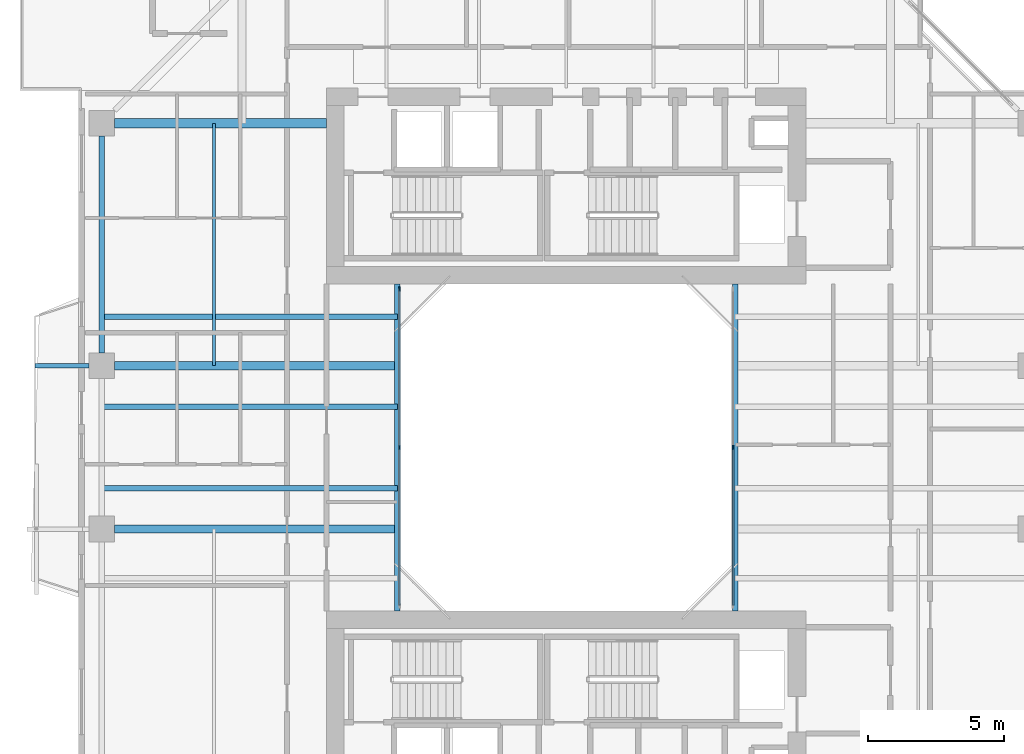
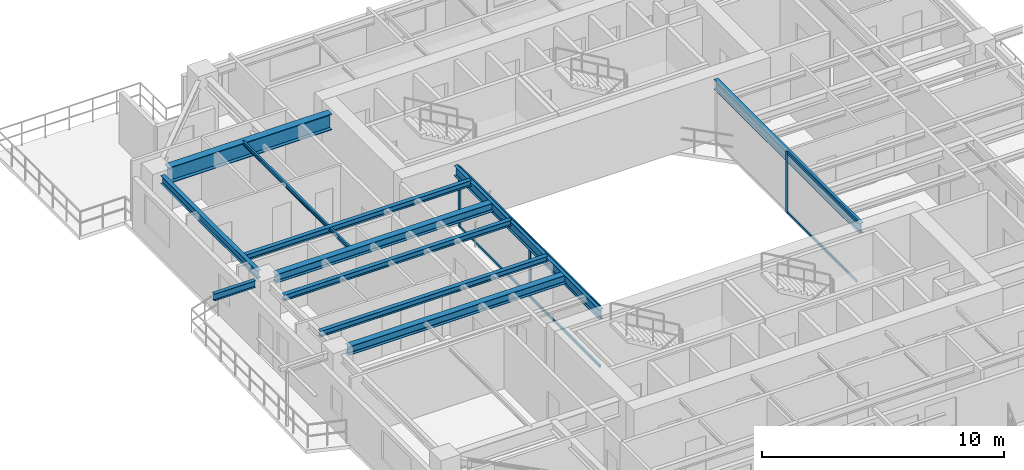
# One storey, part 5 of 17: 11 beams, 9 members, 2 elements without a shape of their own.
"""IFC4 building model written with IfcOpenShell, lengths in metres."""

import ifcopenshell
import ifcopenshell.guid

model = None  # the IFC model being written
_history = None  # IfcOwnerHistory: only IFC2X3 demands one
_inside = {}  # id of a spatial element -> (the spatial element, [elements in it])
_under = {}  # id of a project, library or spatial element -> (it, [spatial elements below it])
_declared = {}  # id of a project -> (the project, [libraries it declares])
_typed = {}  # id of a type object -> (the type object, [elements of that type])
_made_of = {}  # id of a material, layer set ... -> (it, [elements and type objects made of it])


def new_model(schema):
    """Start an empty IFC model of exactly this schema.

    Asked for "IFC4X3", IfcOpenShell would pick the latest addendum, in which some entities
    have other attributes; the version numbers below select the first issue.
    IFC2X3 requires an IfcOwnerHistory on every rooted entity: one is made here for all.
    """
    global model, _history
    if schema == "IFC4X3":
        model = ifcopenshell.file(schema_version=(4, 3, 0, 0))
    else:
        model = ifcopenshell.file(schema=schema)
    _inside.clear()
    _under.clear()
    _declared.clear()
    _typed.clear()
    _made_of.clear()
    _history = None
    if model.schema == "IFC2X3":
        org = make("IfcOrganization", Name="unknown")
        user = make(
            "IfcPersonAndOrganization",
            ThePerson=make("IfcPerson", FamilyName="unknown"),
            TheOrganization=org,
        )
        app = make(
            "IfcApplication",
            ApplicationDeveloper=org,
            Version="unknown",
            ApplicationFullName="unknown",
            ApplicationIdentifier="unknown",
        )
        _history = make(
            "IfcOwnerHistory",
            OwningUser=user,
            OwningApplication=app,
            ChangeAction="ADDED",
            CreationDate=0,
        )
    return model


def make(cls, **values):
    """One entity of the class cls with the attributes given. An attribute that is None is left unset."""
    return model.create_entity(
        cls, **{name: value for name, value in values.items() if value is not None}
    )


def rooted(cls, **values):
    """An entity with a GlobalId (a new one), such as an element, a storey or a relation."""
    return make(cls, GlobalId=ifcopenshell.guid.new(), OwnerHistory=_history, **values)


def si_unit(unit_type, name, prefix=None):
    """IfcSIUnit, for example si_unit("LENGTHUNIT", "METRE", prefix="MILLI")."""
    return make("IfcSIUnit", UnitType=unit_type, Prefix=prefix, Name=name)


def assignment(units):
    """IfcUnitAssignment: the units of a project."""
    return None if units is None else make("IfcUnitAssignment", Units=units)


def point(xyz):
    """IfcCartesianPoint."""
    return None if xyz is None else make("IfcCartesianPoint", Coordinates=xyz)


def direction(xyz):
    """IfcDirection."""
    return None if xyz is None else make("IfcDirection", DirectionRatios=xyz)


def frame(location, z_axis=None, x_axis=None):
    """IfcAxis2Placement3D, a coordinate frame: its origin and axes. An axis left out is left unset."""
    return make(
        "IfcAxis2Placement3D",
        Location=point(location),
        Axis=direction(z_axis),
        RefDirection=direction(x_axis),
    )


def frame_2d(location, x_axis=None):
    """IfcAxis2Placement2D, a coordinate frame in the plane: its origin and x axis."""
    return make(
        "IfcAxis2Placement2D", Location=point(location), RefDirection=direction(x_axis)
    )


def origin():
    """The frame at (0, 0, 0) with its axes left unset."""
    return frame((0.0, 0.0, 0.0))


def origin_2d():
    """The frame at (0, 0) in the plane with its x axis left unset."""
    return frame_2d((0.0, 0.0))


def place(relative_to, where):
    """IfcLocalPlacement: puts the frame where relative to a parent placement (None: the world)."""
    return make(
        "IfcLocalPlacement", PlacementRelTo=relative_to, RelativePlacement=where
    )


def context(
    kind, dimensions, precision=None, world=None, true_north=None, identifier=None
):
    """IfcGeometricRepresentationContext, for example the 3D "Model" context."""
    return make(
        "IfcGeometricRepresentationContext",
        ContextIdentifier=identifier,
        ContextType=kind,
        CoordinateSpaceDimension=dimensions,
        Precision=precision,
        WorldCoordinateSystem=world,
        TrueNorth=true_north,
    )


def subcontext(parent, identifier, kind, view, scale=None):
    """IfcGeometricRepresentationSubContext, for example "Body" below "Model"."""
    return make(
        "IfcGeometricRepresentationSubContext",
        ContextIdentifier=identifier,
        ContextType=kind,
        ParentContext=parent,
        TargetScale=scale,
        TargetView=view,
    )


def project(units=None, contexts=None):
    """IfcProject with its units and contexts."""
    return rooted(
        "IfcProject",
        Name="project",
        RepresentationContexts=contexts,
        UnitsInContext=assignment(units),
    )


def spatial(cls, under=None, at=None, **own):
    """A site, building, storey or space (cls), placed at a placement, below another one or the project."""
    s = rooted(cls, ObjectPlacement=at, **own)
    if under is not None:
        _under.setdefault(under.id(), (under, []))[1].append(s)
    return s


def profile(cls, at=None, kind="AREA", **sizes):
    """A parametric profile (cls). Its sizes go by their IFC names, for example OverallWidth=200.0."""
    return make(cls, ProfileType=kind, Position=at, **sizes)


def rectangle(**sizes):
    """IfcRectangleProfileDef."""
    return profile("IfcRectangleProfileDef", **sizes)


def i_section(**sizes):
    """IfcIShapeProfileDef."""
    return profile("IfcIShapeProfileDef", **sizes)


def extrude(swept, where, along, depth):
    """IfcExtrudedAreaSolid: the profile swept, set in the frame where, extruded along a direction by depth."""
    return make(
        "IfcExtrudedAreaSolid",
        SweptArea=swept,
        Position=where,
        ExtrudedDirection=direction(along),
        Depth=depth,
    )


def shape(context_of_items, identifier, shape_type, items):
    """IfcShapeRepresentation: the items that make up one representation, for example the "Body"."""
    return make(
        "IfcShapeRepresentation",
        ContextOfItems=context_of_items,
        RepresentationIdentifier=identifier,
        RepresentationType=shape_type,
        Items=items,
    )


def source(mapping_origin, context_of_items, identifier, shape_type, items):
    """IfcRepresentationMap: a shape defined once, which mapped items show again and again."""
    return make(
        "IfcRepresentationMap",
        MappingOrigin=mapping_origin,
        MappedRepresentation=shape(context_of_items, identifier, shape_type, items),
    )


def transform(
    local_origin,
    x_axis=None,
    y_axis=None,
    z_axis=None,
    scale=None,
    scale2=None,
    scale3=None,
    uniform=True,
):
    """IfcCartesianTransformationOperator3D, or its non-uniform kind. x_axis, y_axis, z_axis: its Axis1, 2, 3."""
    if uniform:
        return make(
            "IfcCartesianTransformationOperator3D",
            Axis1=direction(x_axis),
            Axis2=direction(y_axis),
            LocalOrigin=point(local_origin),
            Scale=scale,
            Axis3=direction(z_axis),
        )
    return make(
        "IfcCartesianTransformationOperator3DnonUniform",
        Axis1=direction(x_axis),
        Axis2=direction(y_axis),
        LocalOrigin=point(local_origin),
        Scale=scale,
        Axis3=direction(z_axis),
        Scale2=scale2,
        Scale3=scale3,
    )


def mapped(mapping_source, mapping_target):
    """IfcMappedItem: shows the shape of a source again, moved by a transform."""
    return make(
        "IfcMappedItem", MappingSource=mapping_source, MappingTarget=mapping_target
    )


def material(Name=None, Category=None):
    """IfcMaterial."""
    return make("IfcMaterial", Name=Name, Category=Category)


def layer(
    of_material, thickness, ventilated=None, Name=None, Category=None, Priority=None
):
    """IfcMaterialLayer: one layer of a wall or slab, of a material (None: an air gap)."""
    return make(
        "IfcMaterialLayer",
        Material=of_material,
        LayerThickness=thickness,
        IsVentilated=ventilated,
        Name=Name,
        Category=Category,
        Priority=Priority,
    )


def layer_set(layers, Name=None):
    """IfcMaterialLayerSet."""
    return make("IfcMaterialLayerSet", MaterialLayers=layers, LayerSetName=Name)


def material_profile(
    of_material, cross_section, Name=None, Category=None, Priority=None
):
    """IfcMaterialProfile: a cross section and its material."""
    return make(
        "IfcMaterialProfile",
        Name=Name,
        Material=of_material,
        Profile=cross_section,
        Priority=Priority,
        Category=Category,
    )


def profile_set(profiles, Name=None, composite=None):
    """IfcMaterialProfileSet."""
    return make(
        "IfcMaterialProfileSet",
        Name=Name,
        MaterialProfiles=profiles,
        CompositeProfile=composite,
    )


def made_of(thing, what):
    """Note that an element or type object is made of a material, layer set ...; save() writes the relation."""
    if what is not None:
        _made_of.setdefault(what.id(), (what, []))[1].append(thing)
    return thing


def type_object(cls, material=None, **own):
    """A type object (cls), such as IfcWallType, which elements share."""
    return made_of(rooted(cls, **own), material)


def element(
    cls,
    number,
    at=None,
    inside=None,
    cuts=None,
    type_object=None,
    material=None,
    context=None,
    identifier="Body",
    shape_type=None,
    held_by="IfcProductDefinitionShape",
    body=None,
    shapes=None,
    **own,
):
    """One element of the class cls, such as IfcWall. Its Tag is "e" and its number.

    at: its placement. inside: the storey or other place that contains it. cuts: it is an
    opening in that element (IfcRelVoidsElement). A single representation is given by context,
    identifier, shape_type and body (its items); several are given by shapes. held_by: the class
    of the entity that holds the representations. save() writes the other relations.
    """
    e = rooted(cls, Tag="e%d" % number, ObjectPlacement=at, **own)
    if body is not None:
        shapes = [shape(context, identifier, shape_type, body)]
    if shapes is not None:
        e.Representation = make(held_by, Representations=shapes)
    if inside is not None:
        _inside.setdefault(inside.id(), (inside, []))[1].append(e)
    if cuts is not None:
        rooted(
            "IfcRelVoidsElement", RelatingBuildingElement=cuts, RelatedOpeningElement=e
        )
    if type_object is not None:
        _typed.setdefault(type_object.id(), (type_object, []))[1].append(e)
    return made_of(e, material)


def aggregate(whole, parts):
    """IfcRelAggregates: a whole, such as a stair, and the parts it consists of."""
    return rooted("IfcRelAggregates", RelatingObject=whole, RelatedObjects=parts)


def save(model, path):
    """Write the relations noted so far, then the file.

    IfcRelAggregates (storeys below a building ...), IfcRelContainedInSpatialStructure (elements
    in a storey), IfcRelDefinesByType, IfcRelAssociatesMaterial and IfcRelDeclares: one each for
    every whole, place, type object, material and project.
    """
    for whole, parts in _under.values():
        aggregate(whole, parts)
    for where, things in _inside.values():
        rooted(
            "IfcRelContainedInSpatialStructure",
            RelatedElements=things,
            RelatingStructure=where,
        )
    for kind, things in _typed.values():
        rooted("IfcRelDefinesByType", RelatedObjects=things, RelatingType=kind)
    for what, things in _made_of.values():
        rooted("IfcRelAssociatesMaterial", RelatedObjects=things, RelatingMaterial=what)
    for by, libraries in _declared.values():
        rooted("IfcRelDeclares", RelatingContext=by, RelatedDefinitions=libraries)
    model.write(path)


model = new_model("IFC4")

# Units and contexts
model_context = context("Model", 3, precision=1e-05, world=origin(), true_north=direction((0.0, 1.0)))
body_context = subcontext(model_context, "Body", "Model", "MODEL_VIEW")
ifc_project = project(units=[si_unit("LENGTHUNIT", "METRE"), si_unit("AREAUNIT", "SQUARE_METRE"), si_unit("VOLUMEUNIT", "CUBIC_METRE"), si_unit("PLANEANGLEUNIT", "RADIAN"), si_unit("MASSUNIT", "GRAM", prefix="KILO"), si_unit("THERMODYNAMICTEMPERATUREUNIT", "KELVIN"), si_unit("POWERUNIT", "WATT")], contexts=[model_context])

# Site, building, storey
site_placement = place(None, origin())
site = spatial("IfcSite", under=ifc_project, at=site_placement, CompositionType="ELEMENT")
building_placement = place(site_placement, origin())
building = spatial("IfcBuilding", under=site, at=building_placement, Name="Qiaomeng Ring Towers", CompositionType="ELEMENT")
storey_placement = place(building_placement, frame((0.0, 0.0, 143.75)))
storey = spatial("IfcBuildingStorey", under=building, at=storey_placement, Name="L41", CompositionType="ELEMENT", Elevation=143.75)

# Beams
ifc_material_1 = material(Name="Steel Q355B", Category="steel")
ifc_material_profile_1 = material_profile(ifc_material_1, i_section(OverallWidth=0.199951171875, OverallDepth=0.5, WebThickness=0.010009765625, FlangeThickness=0.01611328125, FilletRadius=0.02001953125, at=origin_2d()), Name="HN 500x200x10x16")
ifc_profile_set_1 = profile_set([ifc_material_profile_1], Name="Steel Q355B")
beam_type_1 = type_object("IfcBeamType", Name="STR-BM-HN500", PredefinedType="BEAM", material=ifc_profile_set_1)
shared_shape_1 = source(origin(), body_context, "Body", "SweptSolid", [
    extrude(i_section(OverallWidth=0.199951171875, OverallDepth=0.5, WebThickness=0.010009765625, FlangeThickness=0.01611328125, FilletRadius=0.02001953125, at=origin_2d()), origin(), (0.0, 0.0, 1.0), 12.0),
])
for number, where, z_axis, x_axis, name in (
    (1, (12.800048828125, 17.0, 2.820068359375), (0.0, 1.0, 0.0), (-1.0, 0.0, 0.0), "L41 beam STR-BM-L41-WELL-W"),
    (2, (25.199951171875, 17.0, 2.820068359375), (0.0, 1.0, 0.0), (-1.0, 0.0, 0.0), "L41 beam STR-BM-L41-WELL-E"),
):
    element("IfcBeam", number, at=place(storey_placement, frame(where, z_axis=z_axis, x_axis=x_axis)), inside=storey, type_object=beam_type_1, Name=name, PredefinedType="BEAM", context=body_context, shape_type="MappedRepresentation", body=[
        mapped(shared_shape_1, transform((0.0, 0.0, 0.0), x_axis=(1.0, 0.0, 0.0), y_axis=(0.0, 1.0, 0.0), z_axis=(0.0, 0.0, 1.0), scale=1.0)),
    ])
ifc_material_profile_2 = material_profile(ifc_material_1, i_section(OverallWidth=0.199951171875, OverallDepth=0.2939453125, WebThickness=0.008056640625, FlangeThickness=0.011962890625, FilletRadius=0.01806640625, at=origin_2d()), Name="HM 294x200x8x12")
ifc_profile_set_2 = profile_set([ifc_material_profile_2], Name="Steel Q355B")
beam_type_2 = type_object("IfcBeamType", Name="STR-BM-HM294", PredefinedType="JOIST", material=ifc_profile_set_2)
shared_shape_2 = source(origin(), body_context, "Body", "SweptSolid", [
    extrude(i_section(OverallWidth=0.199951171875, OverallDepth=0.2939453125, WebThickness=0.008056640625, FlangeThickness=0.011962890625, FilletRadius=0.01806640625, at=origin_2d()), origin(), (0.0, 0.0, 1.0), 10.85009765625),
])
for number, where, z_axis, x_axis, name in (
    (3, (1.949951171875, 21.5, 2.923095703125), (1.0, 0.0, 0.0), (0.0, 1.0, 0.0), "L41 beam STR-JST-L41-T1W-2"),
    (4, (1.949951171875, 24.5, 2.923095703125), (1.0, 0.0, 0.0), (0.0, 1.0, 0.0), "L41 beam STR-JST-L41-T1W-3"),
    (5, (1.949951171875, 27.800048828125, 2.923095703125), (1.0, 0.0, 0.0), (0.0, 1.0, 0.0), "L41 beam STR-JST-L41-T1W-4"),
):
    element("IfcBeam", number, at=place(storey_placement, frame(where, z_axis=z_axis, x_axis=x_axis)), inside=storey, type_object=beam_type_2, Name=name, PredefinedType="JOIST", context=body_context, shape_type="MappedRepresentation", body=[
        mapped(shared_shape_2, transform((0.0, 0.0, 0.0), x_axis=(1.0, 0.0, 0.0), y_axis=(0.0, 1.0, 0.0), z_axis=(0.0, 0.0, 1.0), scale=1.0)),
    ])
ifc_material_profile_3 = material_profile(ifc_material_1, i_section(OverallWidth=0.10009765625, OverallDepth=0.199951171875, WebThickness=0.005615234375, FlangeThickness=0.008056640625, FilletRadius=0.010986328125, at=origin_2d()), Name="HN 200x100x5.5x8")
ifc_profile_set_3 = profile_set([ifc_material_profile_3], Name="Steel Q355B")
beam_type_3 = type_object("IfcBeamType", Name="STR-BM-HN200", PredefinedType="JOIST", material=ifc_profile_set_3)
shared_shape_3 = source(origin(), body_context, "Body", "SweptSolid", [
    extrude(i_section(OverallWidth=0.10009765625, OverallDepth=0.199951171875, WebThickness=0.005615234375, FlangeThickness=0.008056640625, FilletRadius=0.010986328125, at=origin_2d()), origin(), (0.0, 0.0, 1.0), 8.89990234375),
])
beam_1_placement = place(storey_placement, frame((6.074951171875, 26.0, 2.969970703125), z_axis=(0.0, 1.0, 0.0), x_axis=(-1.0, 0.0, 0.0)))
element("IfcBeam", 6, at=beam_1_placement, inside=storey, type_object=beam_type_3, Name="L41 beam STR-JST-L41-T1C-WN", PredefinedType="JOIST", context=body_context, shape_type="MappedRepresentation", body=[
    mapped(shared_shape_3, transform((0.0, 0.0, 0.0), x_axis=(1.0, 0.0, 0.0), y_axis=(0.0, 1.0, 0.0), z_axis=(0.0, 0.0, 1.0), scale=1.0)),
])
ifc_material_profile_4 = material_profile(ifc_material_1, i_section(OverallWidth=0.199951171875, OverallDepth=0.39990234375, WebThickness=0.008056640625, FlangeThickness=0.012939453125, FilletRadius=0.01611328125, at=origin_2d()), Name="HN 400x200x8x13")
ifc_profile_set_4 = profile_set([ifc_material_profile_4], Name="Steel Q355B")
beam_type_4 = type_object("IfcBeamType", Name="STR-BM-HN400", PredefinedType="SPANDREL", material=ifc_profile_set_4)
shared_shape_4 = source(origin(), body_context, "Body", "SweptSolid", [
    extrude(i_section(OverallWidth=0.199951171875, OverallDepth=0.39990234375, WebThickness=0.008056640625, FlangeThickness=0.012939453125, FilletRadius=0.01611328125, at=origin_2d()), origin(), (0.0, 0.0, 1.0), 7.951904296875),
])
beam_2_placement = place(storey_placement, frame((1.949951171875, 34.426025390625, 2.8701171875), z_axis=(0.0, -1.0, 0.0), x_axis=(1.0, 0.0, 0.0)))
element("IfcBeam", 7, at=beam_2_placement, inside=storey, type_object=beam_type_4, Name="L41 beam STR-SP-L41-T1-W4-W3", PredefinedType="SPANDREL", context=body_context, shape_type="MappedRepresentation", body=[
    mapped(shared_shape_4, transform((0.0, 0.0, 0.0), x_axis=(1.0, 0.0, 0.0), y_axis=(0.0, 1.0, 0.0), z_axis=(0.0, 0.0, 1.0), scale=1.0)),
])
ifc_material_2 = material(Name="Steel Q390GJC", Category="steel")
ifc_material_profile_5 = material_profile(ifc_material_2, i_section(OverallWidth=0.35009765625, OverallDepth=0.800048828125, WebThickness=0.01611328125, FlangeThickness=0.028076171875, at=origin_2d()), Name="WH 800x350x16x28")
ifc_profile_set_5 = profile_set([ifc_material_profile_5], Name="Steel Q390GJC")
beam_type_5 = type_object("IfcBeamType", Name="STR-BM-WH800", PredefinedType="BEAM", material=ifc_profile_set_5)
shared_shape_5 = source(origin(), body_context, "Body", "SweptSolid", [
    extrude(i_section(OverallWidth=0.35009765625, OverallDepth=0.800048828125, WebThickness=0.01611328125, FlangeThickness=0.028076171875, at=origin_2d()), origin(), (0.0, 0.0, 1.0), 7.77587890625),
])
beam_3_placement = place(storey_placement, frame((2.424072265625, 34.89990234375, 2.669921875), z_axis=(1.0, 0.0, 0.0), x_axis=(0.0, 1.0, 0.0)))
element("IfcBeam", 8, at=beam_3_placement, inside=storey, type_object=beam_type_5, Name="L41 beam STR-BM-L41-T1-RAD-W4", PredefinedType="BEAM", context=body_context, shape_type="MappedRepresentation", body=[
    mapped(shared_shape_5, transform((0.0, 0.0, 0.0), x_axis=(1.0, 0.0, 0.0), y_axis=(0.0, 1.0, 0.0), z_axis=(0.0, 0.0, 1.0), scale=1.0)),
])
ifc_material_profile_6 = material_profile(ifc_material_1, i_section(OverallWidth=0.300048828125, OverallDepth=0.43994140625, WebThickness=0.010986328125, FlangeThickness=0.01806640625, FilletRadius=0.02392578125, at=origin_2d()), Name="HM 440x300x11x18")
ifc_profile_set_6 = profile_set([ifc_material_profile_6], Name="Steel Q355B")
beam_type_6 = type_object("IfcBeamType", Name="STR-BM-HM440", PredefinedType="BEAM", material=ifc_profile_set_6)
shared_shape_6 = source(origin(), body_context, "Body", "SweptSolid", [
    extrude(i_section(OverallWidth=0.300048828125, OverallDepth=0.43994140625, WebThickness=0.010986328125, FlangeThickness=0.01806640625, FilletRadius=0.02392578125, at=origin_2d()), origin(), (0.0, 0.0, 1.0), 10.3759765625),
])
for number, where, z_axis, x_axis, name in (
    (9, (2.424072265625, 20.0, 2.85009765625), (1.0, 0.0, 0.0), (0.0, 1.0, 0.0), "L41 beam STR-BM-L41-T1-RAD-W2"),
    (10, (2.424072265625, 26.0, 2.85009765625), (1.0, 0.0, 0.0), (0.0, 1.0, 0.0), "L41 beam STR-BM-L41-T1-RAD-W3"),
):
    element("IfcBeam", number, at=place(storey_placement, frame(where, z_axis=z_axis, x_axis=x_axis)), inside=storey, type_object=beam_type_6, Name=name, PredefinedType="BEAM", context=body_context, shape_type="MappedRepresentation", body=[
        mapped(shared_shape_6, transform((0.0, 0.0, 0.0), x_axis=(1.0, 0.0, 0.0), y_axis=(0.0, 1.0, 0.0), z_axis=(0.0, 0.0, 1.0), scale=1.0)),
    ])
ifc_material_profile_7 = material_profile(ifc_material_1, i_section(OverallWidth=0.175048828125, OverallDepth=0.35009765625, WebThickness=0.007080078125, FlangeThickness=0.010986328125, FilletRadius=0.013916015625, at=origin_2d()), Name="HN 350x175x7x11")
ifc_profile_set_7 = profile_set([ifc_material_profile_7], Name="Steel Q355B")
beam_type_7 = type_object("IfcBeamType", Name="STR-BM-HN350", PredefinedType="JOIST", material=ifc_profile_set_7)
shared_shape_7 = source(origin(), body_context, "Body", "SweptSolid", [
    extrude(i_section(OverallWidth=0.175048828125, OverallDepth=0.35009765625, WebThickness=0.007080078125, FlangeThickness=0.010986328125, FilletRadius=0.013916015625, at=origin_2d()), origin(), (0.0, 0.0, 1.0), 1.97607421875),
])
beam_4_placement = place(storey_placement, frame((-0.5, 26.0, 2.89501953125), z_axis=(1.0, 0.0, 0.0), x_axis=(0.0, 1.0, 0.0)))
element("IfcBeam", 11, at=beam_4_placement, inside=storey, type_object=beam_type_7, Name="L41 beam STR-BALBM-L41-W3", PredefinedType="JOIST", context=body_context, shape_type="MappedRepresentation", body=[
    mapped(shared_shape_7, transform((0.0, 0.0, 0.0), x_axis=(1.0, 0.0, 0.0), y_axis=(0.0, 1.0, 0.0), z_axis=(0.0, 0.0, 1.0), scale=1.0)),
])

# Curtain wall, members
ifc_material_3 = material(Name="Fluorocarbon dark-grey aluminium", Category="aluminium")
ifc_layer = layer(ifc_material_3, 0.139892578125, Name="Fluorocarbon dark-grey aluminium")
ifc_layer_set = layer_set([ifc_layer], Name="Fluorocarbon dark-grey aluminium")
curtain_wall_type = type_object("IfcCurtainWallType", Name="ARC-CW-4", PredefinedType="NOTDEFINED", material=ifc_layer_set)
curtain_wall_1_placement = place(storey_placement, origin())
curtain_wall_1 = element("IfcCurtainWall", 12, at=curtain_wall_1_placement, inside=storey, type_object=curtain_wall_type, Name="L41 Curtain Wall CW4", PredefinedType="NOTDEFINED")
ifc_material_profile_8 = material_profile(ifc_material_3, rectangle(XDim=0.06494140625, YDim=0.159912109375, at=origin_2d()), Name="ALU MULL 65x160")
ifc_profile_set_8 = profile_set([ifc_material_profile_8], Name="Fluorocarbon dark-grey aluminium")
member_type_1 = type_object("IfcMemberType", Name="ARC-CWM-140", PredefinedType="MULLION", material=ifc_profile_set_8)
shared_shape_8 = source(origin(), body_context, "Body", "SweptSolid", [
    extrude(rectangle(XDim=0.06494140625, YDim=0.159912109375, at=origin_2d()), origin(), (0.0, 0.0, 1.0), 3.070068359375),
])
member_1_placement = place(storey_placement, frame((12.8798828125, 23.0, 0.0), z_axis=(0.0, 0.0, 1.0), x_axis=(-1.0, 0.0, 0.0)))
member_1 = element("IfcMember", 13, at=member_1_placement, type_object=member_type_1, Name="CW4 mullion 2", PredefinedType="MULLION", context=body_context, shape_type="MappedRepresentation", body=[
    mapped(shared_shape_8, transform((0.0, 0.0, 0.0), x_axis=(1.0, 0.0, 0.0), y_axis=(0.0, 1.0, 0.0), z_axis=(0.0, 0.0, 1.0), scale=1.0)),
])
member_2_placement = place(storey_placement, frame((12.8798828125, 28.8173828125, 0.0), z_axis=(0.0, 0.0, 1.0), x_axis=(-1.0, 0.0, 0.0)))
member_2 = element("IfcMember", 14, at=member_2_placement, type_object=member_type_1, Name="CW4 mullion 3", PredefinedType="MULLION", context=body_context, shape_type="MappedRepresentation", body=[
    mapped(shared_shape_8, transform((0.0, 0.0, 0.0), x_axis=(1.0, 0.0, 0.0), y_axis=(0.0, 1.0, 0.0), z_axis=(0.0, 0.0, 1.0), scale=1.0)),
])

# Curtain wall, member
curtain_wall_2_placement = place(storey_placement, origin())
curtain_wall_2 = element("IfcCurtainWall", 15, at=curtain_wall_2_placement, inside=storey, type_object=curtain_wall_type, Name="L41 Curtain Wall CW4", PredefinedType="NOTDEFINED")
member_3_placement = place(storey_placement, frame((25.1201171875, 23.0, 0.0), z_axis=(0.0, 0.0, 1.0), x_axis=(-1.0, 0.0, 0.0)))
member_3 = element("IfcMember", 16, at=member_3_placement, type_object=member_type_1, Name="CW4 mullion 2", PredefinedType="MULLION", context=body_context, shape_type="MappedRepresentation", body=[
    mapped(shared_shape_8, transform((0.0, 0.0, 0.0), x_axis=(1.0, 0.0, 0.0), y_axis=(0.0, 1.0, 0.0), z_axis=(0.0, 0.0, 1.0), scale=1.0)),
])

# Member
ifc_material_profile_9 = material_profile(ifc_material_3, rectangle(XDim=0.06494140625, YDim=0.1298828125, at=origin_2d()), Name="ALU TRAN 65x130")
ifc_profile_set_9 = profile_set([ifc_material_profile_9], Name="Fluorocarbon dark-grey aluminium")
member_type_2 = type_object("IfcMemberType", Name="ARC-CWT-120", PredefinedType="USERDEFINED", material=ifc_profile_set_9)
shared_shape_9 = source(origin(), body_context, "Body", "SweptSolid", [
    extrude(rectangle(XDim=0.06494140625, YDim=0.1298828125, at=origin_2d()), origin(), (0.0, 0.0, 1.0), 5.75244140625),
])
member_4_placement = place(storey_placement, frame((12.8798828125, 17.215087890625, 0.032470703125), z_axis=(0.0, 1.0, 0.0), x_axis=(-1.0, 0.0, 0.0)))
member_4 = element("IfcMember", 17, at=member_4_placement, type_object=member_type_2, Name="CW4 transom 1.1", ObjectType="TRANSOM", PredefinedType="USERDEFINED", context=body_context, shape_type="MappedRepresentation", body=[
    mapped(shared_shape_9, transform((0.0, 0.0, 0.0), x_axis=(1.0, 0.0, 0.0), y_axis=(0.0, 1.0, 0.0), z_axis=(0.0, 0.0, 1.0), scale=1.0)),
])

member_5_placement = place(storey_placement, frame((12.8798828125, 17.215087890625, 3.03759765625), z_axis=(0.0, 1.0, 0.0), x_axis=(-1.0, 0.0, 0.0)))
member_5 = element("IfcMember", 18, at=member_5_placement, type_object=member_type_2, Name="CW4 transom 1.2", ObjectType="TRANSOM", PredefinedType="USERDEFINED", context=body_context, shape_type="MappedRepresentation", body=[
    mapped(shared_shape_9, transform((0.0, 0.0, 0.0), x_axis=(1.0, 0.0, 0.0), y_axis=(0.0, 1.0, 0.0), z_axis=(0.0, 0.0, 1.0), scale=1.0)),
])

member_6_placement = place(storey_placement, frame((12.8798828125, 23.032470703125, 0.032470703125), z_axis=(0.0, 1.0, 0.0), x_axis=(-1.0, 0.0, 0.0)))
member_6 = element("IfcMember", 19, at=member_6_placement, type_object=member_type_2, Name="CW4 transom 2.1", ObjectType="TRANSOM", PredefinedType="USERDEFINED", context=body_context, shape_type="MappedRepresentation", body=[
    mapped(shared_shape_9, transform((0.0, 0.0, 0.0), x_axis=(1.0, 0.0, 0.0), y_axis=(0.0, 1.0, 0.0), z_axis=(0.0, 0.0, 1.0), scale=1.0)),
])

member_7_placement = place(storey_placement, frame((12.8798828125, 23.032470703125, 3.03759765625), z_axis=(0.0, 1.0, 0.0), x_axis=(-1.0, 0.0, 0.0)))
member_7 = element("IfcMember", 20, at=member_7_placement, type_object=member_type_2, Name="CW4 transom 2.2", ObjectType="TRANSOM", PredefinedType="USERDEFINED", context=body_context, shape_type="MappedRepresentation", body=[
    mapped(shared_shape_9, transform((0.0, 0.0, 0.0), x_axis=(1.0, 0.0, 0.0), y_axis=(0.0, 1.0, 0.0), z_axis=(0.0, 0.0, 1.0), scale=1.0)),
])

aggregate(curtain_wall_1, [member_1, member_2, member_4, member_5, member_6, member_7])

member_8_placement = place(storey_placement, frame((25.1201171875, 17.215087890625, 0.032470703125), z_axis=(0.0, 1.0, 0.0), x_axis=(-1.0, 0.0, 0.0)))
member_8 = element("IfcMember", 21, at=member_8_placement, type_object=member_type_2, Name="CW4 transom 1.1", ObjectType="TRANSOM", PredefinedType="USERDEFINED", context=body_context, shape_type="MappedRepresentation", body=[
    mapped(shared_shape_9, transform((0.0, 0.0, 0.0), x_axis=(1.0, 0.0, 0.0), y_axis=(0.0, 1.0, 0.0), z_axis=(0.0, 0.0, 1.0), scale=1.0)),
])

member_9_placement = place(storey_placement, frame((25.1201171875, 17.215087890625, 3.03759765625), z_axis=(0.0, 1.0, 0.0), x_axis=(-1.0, 0.0, 0.0)))
member_9 = element("IfcMember", 22, at=member_9_placement, type_object=member_type_2, Name="CW4 transom 1.2", ObjectType="TRANSOM", PredefinedType="USERDEFINED", context=body_context, shape_type="MappedRepresentation", body=[
    mapped(shared_shape_9, transform((0.0, 0.0, 0.0), x_axis=(1.0, 0.0, 0.0), y_axis=(0.0, 1.0, 0.0), z_axis=(0.0, 0.0, 1.0), scale=1.0)),
])

aggregate(curtain_wall_2, [member_3, member_8, member_9])

save(model, "model.ifc")
